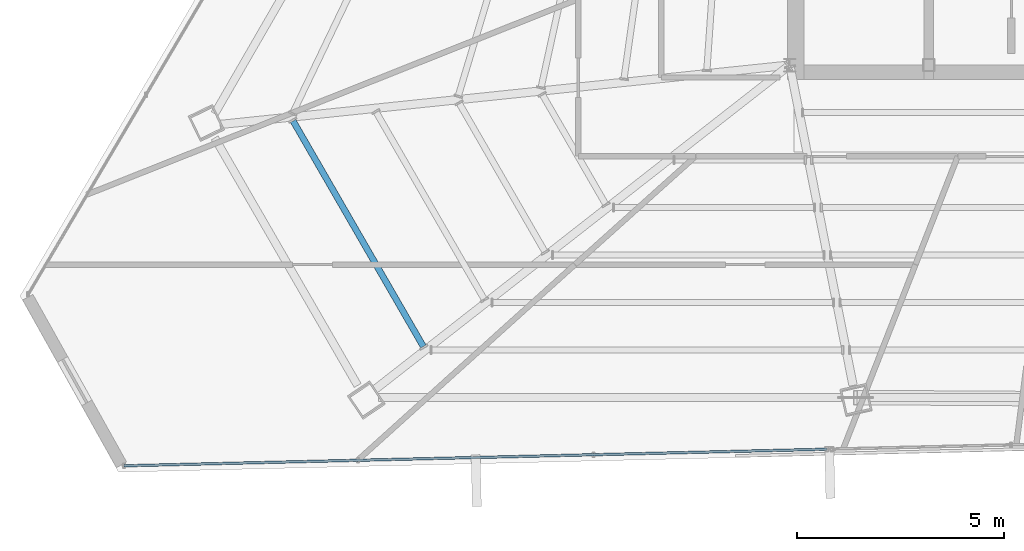
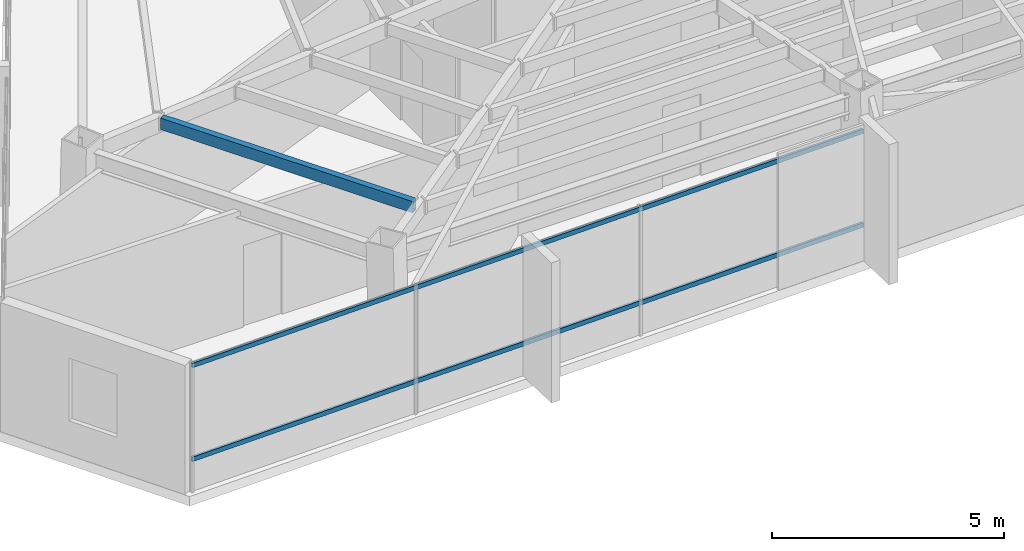
# One storey, part 4 of 47: 2 members, 1 beam, 1 element without a shape of its own.
"""IFC4 building model written with IfcOpenShell, lengths in metres."""

from ifc_helpers import new_model, si_unit, direction, frame, origin, origin_2d, place, context, subcontext, project, spatial, hollow_rectangle, extrude, source, transform, mapped, material, material_profile, profile_set, type_object, type_shapes, element, aggregate, save


model = new_model("IFC4")

# Units and contexts
model_context = context("Model", 3, precision=1e-05, world=origin(), true_north=direction((0.0, 1.0)))
body_context = subcontext(model_context, "Body", "Model", "MODEL_VIEW")
ifc_project = project(units=[si_unit("LENGTHUNIT", "METRE"), si_unit("AREAUNIT", "SQUARE_METRE"), si_unit("VOLUMEUNIT", "CUBIC_METRE"), si_unit("PLANEANGLEUNIT", "RADIAN"), si_unit("MASSUNIT", "GRAM", prefix="KILO")], contexts=[model_context])

# Site, building, storey
site_placement = place(None, origin())
site = spatial("IfcSite", under=ifc_project, at=site_placement, CompositionType="ELEMENT")
building_placement = place(site_placement, origin())
building = spatial("IfcBuilding", under=site, at=building_placement, Name="Caelisora Broadcast Tower", CompositionType="ELEMENT")
storey_placement = place(building_placement, frame((0.0, 0.0, 255.39990234375)))
storey = spatial("IfcBuildingStorey", under=building, at=storey_placement, Name="L67", CompositionType="ELEMENT", Elevation=255.39990234375)

# Beam
ifc_material_1 = material(Name="Steel Grade 350 (AS/NZS 1163 C350L0)", Category="steel")
ifc_material_profile_1 = material_profile(ifc_material_1, hollow_rectangle(XDim=0.14990234375, YDim=0.300048828125, WallThickness=0.010009765625, at=origin_2d()), Name="Steel Grade 350 (AS/NZS 1163 C350L0)")
ifc_profile_set_1 = profile_set([ifc_material_profile_1], Name="Steel Grade 350 (AS/NZS 1163 C350L0)")
beam_type = type_object("IfcBeamType", Name="SB05", PredefinedType="JOIST", material=ifc_profile_set_1)
shared_shape_1 = source(origin(), body_context, "Body", "SweptSolid", [
    extrude(hollow_rectangle(XDim=0.14990234375, YDim=0.300048828125, WallThickness=0.010009765625, at=origin_2d()), origin(), (0.0, 0.0, 1.0), 6.280029296875),
])
type_shapes(beam_type, [shared_shape_1])
beam_placement = place(storey_placement, frame((18.525634765625, 16.052978515625, 3.25), z_axis=(0.500027565123, -0.866009488468, 0.0), x_axis=(0.866009488468, 0.500027565123, 0.0)))
element("IfcBeam", 1, at=beam_placement, inside=storey, type_object=beam_type, Name="L67 beam SB05", PredefinedType="JOIST", context=body_context, shape_type="MappedRepresentation", body=[
    mapped(shared_shape_1, transform((0.0, 0.0, 0.0), scale=1.0)),
])

# Curtain wall, members
ifc_material_2 = material(Name="Unitised Aluminium and Low-E Glass Curtain Wall", Category="glass")
curtain_wall_type = type_object("IfcCurtainWallType", Name="CW-Z5", PredefinedType="NOTDEFINED", material=ifc_material_2)
curtain_wall_placement = place(storey_placement, origin())
curtain_wall = element("IfcCurtainWall", 2, at=curtain_wall_placement, inside=storey, type_object=curtain_wall_type, Name="L67 curtain wall CW-Z5", PredefinedType="NOTDEFINED")
ifc_material_3 = material(Name="Aluminium 6063-T6 Anodised Terracotta Bronze", Category="aluminium")
ifc_material_profile_2 = material_profile(ifc_material_3, hollow_rectangle(XDim=0.06005859375, YDim=0.1201171875, WallThickness=0.0029296875, at=origin_2d()), Name="Aluminium 6063-T6 Anodised Terracotta Bronze")
ifc_profile_set_2 = profile_set([ifc_material_profile_2], Name="Aluminium 6063-T6 Anodised Terracotta Bronze")
member_type = type_object("IfcMemberType", Name="CWT-03", PredefinedType="USERDEFINED", material=ifc_profile_set_2)
shared_shape_2 = source(origin(), body_context, "Body", "SweptSolid", [
    extrude(hollow_rectangle(XDim=0.06005859375, YDim=0.1201171875, WallThickness=0.0029296875, at=origin_2d()), origin(), (0.0, 0.0, 1.0), 16.947998046875),
])
type_shapes(member_type, [shared_shape_2])
member_1_placement = place(storey_placement, frame((31.3974609375, 8.138427734375, 0.85009765625), z_axis=(-0.999721241996, -0.023610131349, 0.0), x_axis=(0.023610131349, -0.999721241996, 0.0)))
member_1 = element("IfcMember", 3, at=member_1_placement, type_object=member_type, Name="L67-CW-B07 transom #1", ObjectType="TRANSOM", PredefinedType="USERDEFINED", context=body_context, shape_type="MappedRepresentation", body=[
    mapped(shared_shape_2, transform((0.0, 0.0, 0.0), scale=1.0)),
])
member_2_placement = place(storey_placement, frame((31.3974609375, 8.138427734375, 3.320068359375), z_axis=(-0.999721241996, -0.023610131349, 0.0), x_axis=(0.023610131349, -0.999721241996, 0.0)))
member_2 = element("IfcMember", 4, at=member_2_placement, type_object=member_type, Name="L67-CW-B07 transom #2", ObjectType="TRANSOM", PredefinedType="USERDEFINED", context=body_context, shape_type="MappedRepresentation", body=[
    mapped(shared_shape_2, transform((0.0, 0.0, 0.0), scale=1.0)),
])
aggregate(curtain_wall, [member_1, member_2])

save(model, "model.ifc")
